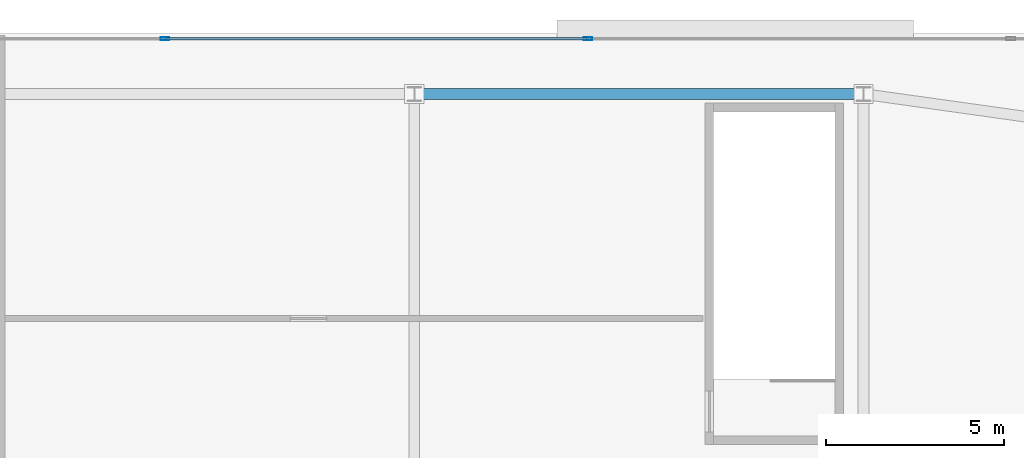
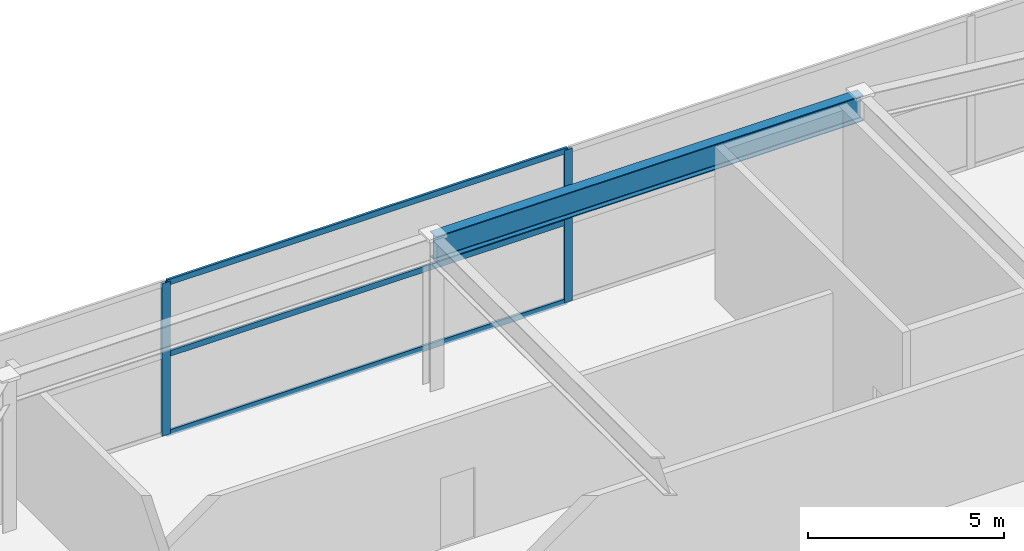
# One storey, part 19 of 36: 5 members, 1 beam, 1 element without a shape of its own.
"""IFC4 building model written with IfcOpenShell, lengths in metres."""

from ifc_helpers import new_model, si_unit, direction, frame, origin, origin_2d, place, context, subcontext, project, spatial, hollow_rectangle, i_section, extrude, material, layer, layer_set, material_profile, profile_set, type_object, element, aggregate, save


model = new_model("IFC4")

# Units and contexts
model_context = context("Model", 3, precision=1e-05, world=origin(), true_north=direction((0.0, 1.0)))
body_context = subcontext(model_context, "Body", "Model", "MODEL_VIEW")
ifc_project = project(units=[si_unit("LENGTHUNIT", "METRE"), si_unit("AREAUNIT", "SQUARE_METRE"), si_unit("VOLUMEUNIT", "CUBIC_METRE"), si_unit("PLANEANGLEUNIT", "RADIAN"), si_unit("MASSUNIT", "GRAM", prefix="KILO")], contexts=[model_context])

# Site, building, storey
site_placement = place(None, origin())
site = spatial("IfcSite", under=ifc_project, at=site_placement, CompositionType="ELEMENT")
building_placement = place(site_placement, origin())
building = spatial("IfcBuilding", under=site, at=building_placement, Name="Calvorn Quay Hotel", CompositionType="ELEMENT")
storey_placement = place(building_placement, frame((0.0, 0.0, 22.0)))
storey = spatial("IfcBuildingStorey", under=building, at=storey_placement, Name="L04", CompositionType="ELEMENT", Elevation=22.0)

# Beam
ifc_material_1 = material(Name="Steel Q390GJC", Category="steel")
ifc_material_profile_1 = material_profile(ifc_material_1, i_section(OverallWidth=0.300048828125, OverallDepth=0.800048828125, WebThickness=0.013916015625, FlangeThickness=0.02587890625, FilletRadius=0.02392578125, at=origin_2d()), Name="HN800x300x14x26")
ifc_profile_set_1 = profile_set([ifc_material_profile_1], Name="Steel Q390GJC")
beam_type = type_object("IfcBeamType", Name="BM-GIRD-POD", PredefinedType="BEAM", material=ifc_profile_set_1)
beam_placement = place(storey_placement, frame((45.0, 53.800048828125, 4.340087890625), z_axis=(1.0, 0.0, 0.0), x_axis=(0.0, 1.0, 0.0)))
element("IfcBeam", 1, at=beam_placement, inside=storey, type_object=beam_type, Name="Beam BG-L04-PN6", PredefinedType="BEAM", context=body_context, shape_type="SweptSolid", body=[
    extrude(i_section(OverallWidth=0.300048828125, OverallDepth=0.800048828125, WebThickness=0.013916015625, FlangeThickness=0.02587890625, FilletRadius=0.02392578125, at=origin_2d()), origin(), (0.0, 0.0, 1.0), 12.60009765625),
])

# Curtain wall, members
ifc_material_2 = material(Name="Pale Anodised Aluminium and Low-E Glass", Category="aluminium")
ifc_layer = layer(ifc_material_2, 0.219970703125)
ifc_layer_set = layer_set([ifc_layer], Name="CW-SYS-POD")
curtain_wall_type = type_object("IfcCurtainWallType", Name="CW-SYS-POD", PredefinedType="NOTDEFINED", material=ifc_layer_set)
curtain_wall_placement = place(storey_placement, origin())
curtain_wall = element("IfcCurtainWall", 2, at=curtain_wall_placement, inside=storey, type_object=curtain_wall_type, Name="Podium Curtain Wall L04-N1", PredefinedType="NOTDEFINED")
ifc_material_3 = material(Name="Pale Anodised Aluminium 6063-T6", Category="aluminium")
ifc_material_profile_2 = material_profile(ifc_material_3, hollow_rectangle(XDim=0.080078125, YDim=0.239990234375, WallThickness=0.0048828125, at=origin_2d()), Name="ALU-M240x80x5")
ifc_profile_set_2 = profile_set([ifc_material_profile_2], Name="Pale Anodised Aluminium 6063-T6")
member_type_1 = type_object("IfcMemberType", Name="CW-SYS-POD-MUL", PredefinedType="MULLION", material=ifc_profile_set_2)
member_1_placement = place(storey_placement, frame((38.0, 55.35009765625, 0.0), z_axis=(0.0, 0.0, 1.0), x_axis=(0.0, 1.0, 0.0)))
member_1 = element("IfcMember", 3, at=member_1_placement, type_object=member_type_1, Name="CW-L04-N1 mullion 4", PredefinedType="MULLION", context=body_context, shape_type="SweptSolid", body=[
    extrude(hollow_rectangle(XDim=0.080078125, YDim=0.239990234375, WallThickness=0.0048828125, at=origin_2d()), origin(), (0.0, 0.0, 1.0), 4.760009765625),
])
member_2_placement = place(storey_placement, frame((49.86669921875, 55.35009765625, 0.0), z_axis=(0.0, 0.0, 1.0), x_axis=(0.0, 1.0, 0.0)))
member_2 = element("IfcMember", 4, at=member_2_placement, type_object=member_type_1, Name="CW-L04-N1 mullion 5", PredefinedType="MULLION", context=body_context, shape_type="SweptSolid", body=[
    extrude(hollow_rectangle(XDim=0.080078125, YDim=0.239990234375, WallThickness=0.0048828125, at=origin_2d()), origin(), (0.0, 0.0, 1.0), 4.760009765625),
])
ifc_material_4 = material(Name="Pale Anodised Aluminium 6063-T6", Category="aluminium")
ifc_material_profile_3 = material_profile(ifc_material_4, hollow_rectangle(XDim=0.070068359375, YDim=0.179931640625, WallThickness=0.00390625, at=origin_2d()), Name="ALU-T180x70x4")
ifc_profile_set_3 = profile_set([ifc_material_profile_3], Name="Pale Anodised Aluminium 6063-T6")
member_type_2 = type_object("IfcMemberType", Name="CW-SYS-POD-TRN", PredefinedType="USERDEFINED", material=ifc_profile_set_3)
member_3_placement = place(storey_placement, frame((38.030029296875, 55.35009765625, 0.030029296875), z_axis=(1.0, 0.0, 0.0), x_axis=(0.0, 1.0, 0.0)))
member_3 = element("IfcMember", 5, at=member_3_placement, type_object=member_type_2, Name="CW-L04-N1 transom 4.1", ObjectType="TRANSOM", PredefinedType="USERDEFINED", context=body_context, shape_type="SweptSolid", body=[
    extrude(hollow_rectangle(XDim=0.070068359375, YDim=0.179931640625, WallThickness=0.00390625, at=origin_2d()), origin(), (0.0, 0.0, 1.0), 11.806640625),
])
member_4_placement = place(storey_placement, frame((38.030029296875, 55.35009765625, 2.5), z_axis=(1.0, 0.0, 0.0), x_axis=(0.0, 1.0, 0.0)))
member_4 = element("IfcMember", 6, at=member_4_placement, type_object=member_type_2, Name="CW-L04-N1 transom 4.2", ObjectType="TRANSOM", PredefinedType="USERDEFINED", context=body_context, shape_type="SweptSolid", body=[
    extrude(hollow_rectangle(XDim=0.070068359375, YDim=0.179931640625, WallThickness=0.00390625, at=origin_2d()), origin(), (0.0, 0.0, 1.0), 11.806640625),
])
member_5_placement = place(storey_placement, frame((38.030029296875, 55.35009765625, 4.72998046875), z_axis=(1.0, 0.0, 0.0), x_axis=(0.0, 1.0, 0.0)))
member_5 = element("IfcMember", 7, at=member_5_placement, type_object=member_type_2, Name="CW-L04-N1 transom 4.3", ObjectType="TRANSOM", PredefinedType="USERDEFINED", context=body_context, shape_type="SweptSolid", body=[
    extrude(hollow_rectangle(XDim=0.070068359375, YDim=0.179931640625, WallThickness=0.00390625, at=origin_2d()), origin(), (0.0, 0.0, 1.0), 11.806640625),
])
aggregate(curtain_wall, [member_1, member_2, member_3, member_4, member_5])

save(model, "model.ifc")
